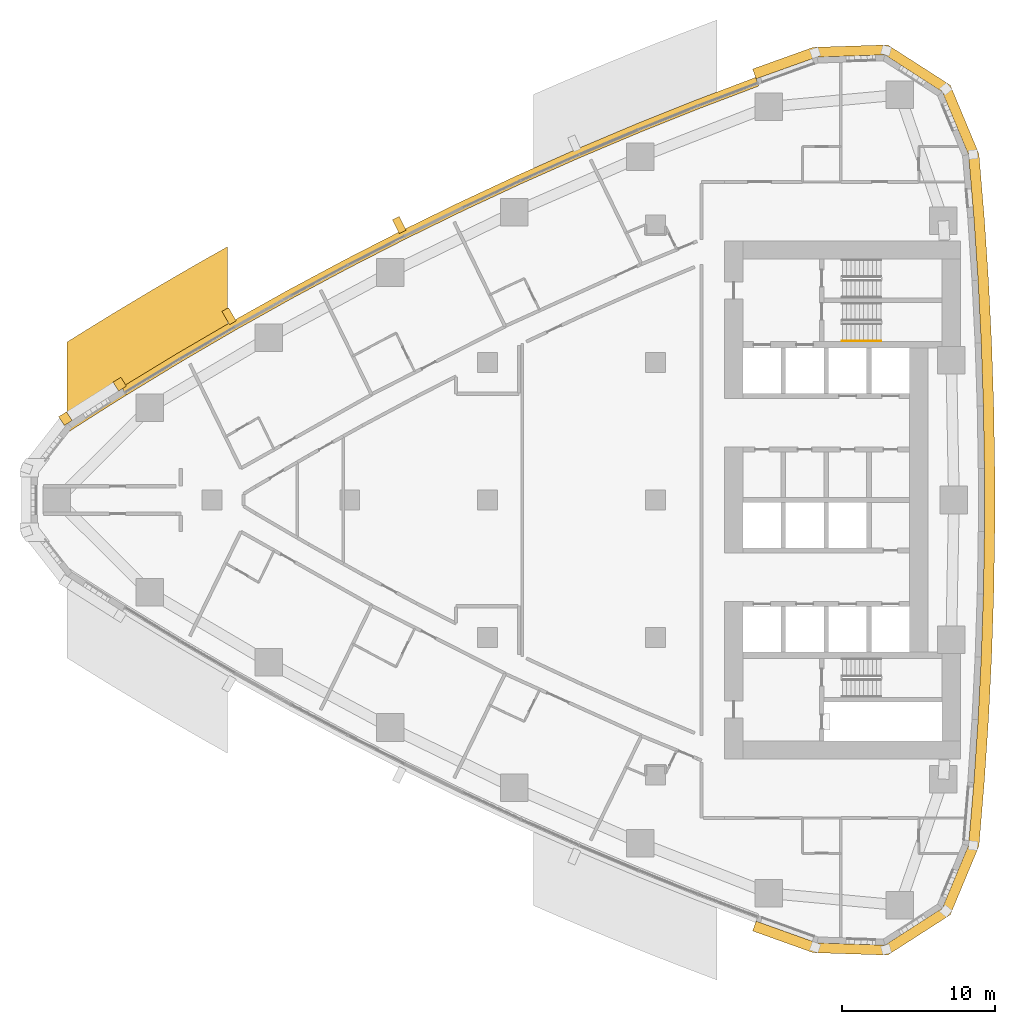
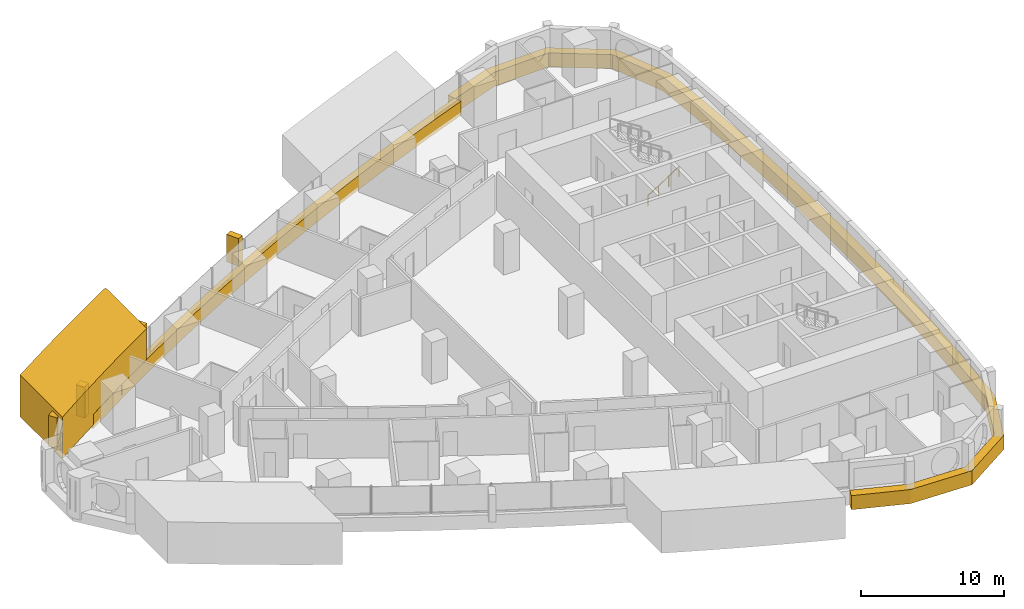
# One storey, part 16 of 18: 7 coverings, 1 railing.
"""IFC4 building model written with IfcOpenShell, lengths in metres."""

from ifc_helpers import new_model, si_unit, direction, frame, frame_2d, origin, origin_2d, place, context, subcontext, project, spatial, polyline, rectangle, circle, outline, extrude, material, layer, layer_set, type_object, element, save


model = new_model("IFC4")

# Units and contexts
model_context = context("Model", 3, precision=1e-05, world=origin(), true_north=direction((0.0, 1.0)))
body_context = subcontext(model_context, "Body", "Model", "MODEL_VIEW")
ifc_project = project(units=[si_unit("LENGTHUNIT", "METRE"), si_unit("AREAUNIT", "SQUARE_METRE"), si_unit("VOLUMEUNIT", "CUBIC_METRE"), si_unit("PLANEANGLEUNIT", "RADIAN"), si_unit("MASSUNIT", "GRAM", prefix="KILO")], contexts=[model_context])

# Site, building, storey
site_placement = place(None, origin())
site = spatial("IfcSite", under=ifc_project, at=site_placement, CompositionType="ELEMENT")
building_placement = place(site_placement, origin())
building = spatial("IfcBuilding", under=site, at=building_placement, Name="Ostrand Prow Hotel Tower", CompositionType="ELEMENT")
storey_placement = place(building_placement, frame((0.0, 0.0, 57.35009765625)))
storey = spatial("IfcBuildingStorey", under=building, at=storey_placement, Name="L12", CompositionType="ELEMENT", Elevation=57.35009765625)

# Coverings
ifc_material_1 = material(Name="Bronze anodised aluminium cladding", Category="aluminium")
ifc_layer_1 = layer(ifc_material_1, 0.60009765625)
ifc_layer_set_1 = layer_set([ifc_layer_1], Name="Bronze anodised aluminium cladding")
covering_type_1 = type_object("IfcCoveringType", Name="Bronze spandrel band 1200x600", PredefinedType="CLADDING", material=ifc_layer_set_1)
covering_1_placement = place(storey_placement, frame((0.0, 0.0, -0.300048828125)))
element("IfcCovering", 1, at=covering_1_placement, inside=storey, type_object=covering_type_1, Name="Spandrel band N1", PredefinedType="CLADDING", context=body_context, shape_type="SweptSolid", body=[
    extrude(outline(polyline([(51.5361328125, 27.6328125), (47.607666015625, 26.142578125), (43.70751953125, 24.580078125), (39.83642578125, 22.946044921875), (35.996337890625, 21.2412109375), (32.188232421875, 19.4658203125), (28.413330078125, 17.62060546875), (24.673095703125, 15.70654296875), (20.968994140625, 13.723876953125), (17.301513671875, 11.673095703125), (13.672607421875, 9.555419921875), (10.08349609375, 7.371337890625), (10.39990234375, 6.86181640625), (13.97998046875, 9.0400390625), (17.59912109375, 11.152099609375), (21.2568359375, 13.197509765625), (24.951416015625, 15.1748046875), (28.681884765625, 17.083984375), (32.44677734375, 18.92431640625), (36.244873046875, 20.695068359375), (40.074951171875, 22.3955078125), (43.935791015625, 24.025146484375), (47.82568359375, 25.58349609375), (51.743896484375, 27.070068359375), (51.5361328125, 27.6328125)])), origin(), (0.0, 0.0, 1.0), 1.199951171875),
])
covering_2_placement = place(storey_placement, frame((0.0, 0.0, -0.300048828125)))
element("IfcCovering", 2, at=covering_2_placement, inside=storey, type_object=covering_type_1, Name="Spandrel band back 1", PredefinedType="CLADDING", context=body_context, shape_type="SweptSolid", body=[
    extrude(outline(polyline([(51.335205078125, -28.177001953125), (55.300537109375, -29.5986328125), (60.16796875, -29.758056640625), (64.26318359375, -27.123046875), (66.13525390625, -22.627197265625), (66.48046875, -18.521728515625), (66.756591796875, -14.411376953125), (66.964111328125, -10.296630859375), (67.102294921875, -6.17919921875), (67.17138671875, -2.059814453125), (67.17138671875, 2.059814453125), (67.102294921875, 6.17919921875), (66.964111328125, 10.296630859375), (66.756591796875, 14.411376953125), (66.48046875, 18.521728515625), (66.13525390625, 22.627197265625), (64.26318359375, 27.123046875), (60.16796875, 29.758056640625), (55.300537109375, 29.5986328125), (51.335205078125, 28.177001953125), (51.57080078125, 27.5390625), (55.524169921875, 28.956298828125), (59.98681640625, 29.1025390625), (63.74169921875, 26.6865234375), (65.4580078125, 22.564453125), (65.802490234375, 18.470458984375), (66.077880859375, 14.371337890625), (66.28466796875, 10.26806640625), (66.422607421875, 6.162109375), (66.491455078125, 2.05419921875), (66.491455078125, -2.05419921875), (66.422607421875, -6.162109375), (66.28466796875, -10.26806640625), (66.077880859375, -14.371337890625), (65.802490234375, -18.470458984375), (65.4580078125, -22.564453125), (63.74169921875, -26.6865234375), (59.98681640625, -29.1025390625), (55.524169921875, -28.956298828125), (51.57080078125, -27.5390625), (51.335205078125, -28.177001953125)])), origin(), (0.0, 0.0, 1.0), 1.199951171875),
])
ifc_material_2 = material(Name="Limestone cladding", Category="masonry")
ifc_layer_2 = layer(ifc_material_2, 5.0)
ifc_layer_set_2 = layer_set([ifc_layer_2], Name="Limestone cladding")
covering_type_2 = type_object("IfcCoveringType", Name="Portal jamb pilaster limestone", PredefinedType="CLADDING", material=ifc_layer_set_2)
covering_3_placement = place(storey_placement, origin())
element("IfcCovering", 3, at=covering_3_placement, inside=storey, type_object=covering_type_2, Name="Portal jamb NA L12", PredefinedType="CLADDING", context=body_context, shape_type="SweptSolid", body=[
    extrude(outline(polyline([(6.5, 4.3837890625), (7.45458984375, 5.00048828125), (8.4091796875, 5.610595703125), (9.363525390625, 6.214111328125), (10.318115234375, 6.810791015625), (11.272705078125, 7.401123046875), (12.227294921875, 7.98486328125), (13.181884765625, 8.562255859375), (14.136474609375, 9.13330078125), (15.0908203125, 9.697998046875), (16.04541015625, 10.25634765625), (17.0, 10.80859375), (17.0, 16.556640625), (16.04541015625, 16.020263671875), (15.0908203125, 15.4775390625), (14.136474609375, 14.92919921875), (13.181884765625, 14.37451171875), (12.227294921875, 13.81396484375), (11.272705078125, 13.247314453125), (10.318115234375, 12.67431640625), (9.363525390625, 12.09521484375), (8.4091796875, 11.509521484375), (7.45458984375, 10.917724609375), (6.5, 10.319580078125), (6.5, 4.3837890625)])), origin(), (0.0, 0.0, 1.0), 3.5498046875),
])
ifc_material_3 = material(Name="Limestone cladding", Category="masonry")
ifc_layer_3 = layer(ifc_material_3, 0.5)
ifc_layer_set_3 = layer_set([ifc_layer_3], Name="Limestone cladding")
covering_type_3 = type_object("IfcCoveringType", Name="Precast stone fin 500x900", PredefinedType="CLADDING", material=ifc_layer_set_3)
for number, where, z_axis, x_axis, name in (
    (4, (28.458251953125, 17.53125, 0.89990234375), (0.0, 0.0, 1.0), (-0.447506538147, 0.894280659701, 0.0), "Stone fin N 7"),
    (5, (17.351318359375, 11.58642578125, 0.89990234375), (0.0, 0.0, 1.0), (-0.496138938357, 0.868243142124, 0.0), "Stone fin N 10"),
):
    element("IfcCovering", number, at=place(storey_placement, frame(where, z_axis=z_axis, x_axis=x_axis)), inside=storey, type_object=covering_type_3, Name=name, PredefinedType="CLADDING", context=body_context, shape_type="SweptSolid", body=[
        extrude(rectangle(XDim=1.0, YDim=0.5, at=frame_2d((0.5, 0.0))), origin(), (0.0, 0.0, 1.0), 2.35009765625),
    ])
ifc_material_4 = material(Name="Limestone cladding", Category="masonry")
ifc_layer_4 = layer(ifc_material_4, 0.60009765625)
ifc_layer_set_4 = layer_set([ifc_layer_4], Name="Limestone cladding")
covering_type_4 = type_object("IfcCoveringType", Name="Precast stone prow rib 600x600", PredefinedType="CLADDING", material=ifc_layer_set_4)
for number, where, z_axis, x_axis, name in (
    (6, (10.13623046875, 7.286376953125, 0.599853515625), (0.0, 0.0, 1.0), (-0.527738148304, 0.849407114889, 0.0), "Stone prow rib 1"),
    (7, (6.589111328125, 5.03759765625, 0.599853515625), (0.0, 0.0, 1.0), (-0.543295944087, 0.839541253983, 0.0), "Stone prow rib 2"),
):
    element("IfcCovering", number, at=place(storey_placement, frame(where, z_axis=z_axis, x_axis=x_axis)), inside=storey, type_object=covering_type_4, Name=name, PredefinedType="CLADDING", context=body_context, shape_type="SweptSolid", body=[
        extrude(rectangle(XDim=0.679931640625, YDim=0.60009765625, at=frame_2d((0.33984375, 0.0))), origin(), (0.0, 0.0, 1.0), 2.650146484375),
    ])

# Railing
ifc_material_5 = material(Name="Stainless steel", Category="steel")
railing_type = type_object("IfcRailingType", Name="Stair handrail 900", PredefinedType="HANDRAIL", material=ifc_material_5)
railing_placement = place(storey_placement, frame((57.199951171875, 10.39990234375, 0.177490234375)))
element("IfcRailing", 8, at=railing_placement, inside=storey, type_object=railing_type, Name="L12 ST1C stair handrail 1", PredefinedType="HANDRAIL", context=body_context, shape_type="SweptSolid", body=[
    extrude(circle(Radius=0.02392578125, at=origin_2d()), frame((0.0, 0.0, 0.8759765625), z_axis=(0.84460694969, 0.0, 0.535386869969), x_axis=(0.0, 1.0, 0.0)), (0.0, 0.0, 1.0), 2.983642578125),
    extrude(circle(Radius=0.02099609375, at=origin_2d()), origin(), (0.0, 0.0, 1.0), 0.851806640625),
    extrude(circle(Radius=0.02099609375, at=origin_2d()), frame((0.840087890625, 0.0, 0.532470703125)), (0.0, 0.0, 1.0), 0.851806640625),
    extrude(circle(Radius=0.02099609375, at=origin_2d()), frame((1.679931640625, 0.0, 1.06494140625)), (0.0, 0.0, 1.0), 0.851806640625),
    extrude(circle(Radius=0.02099609375, at=origin_2d()), frame((2.52001953125, 0.0, 1.597412109375)), (0.0, 0.0, 1.0), 0.851806640625),
])

save(model, "model.ifc")
